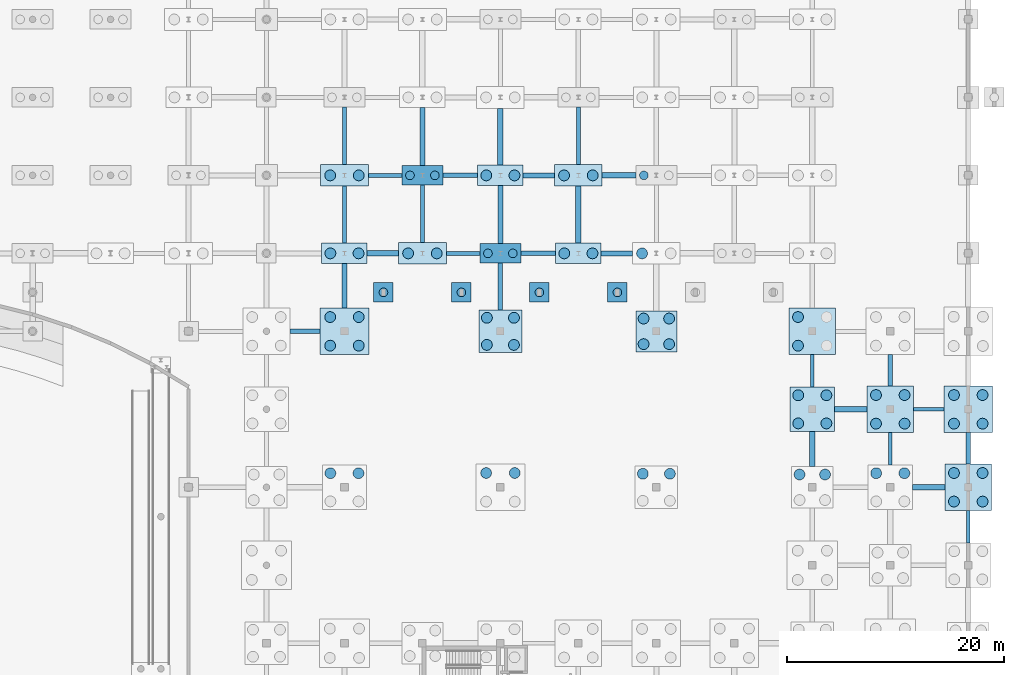
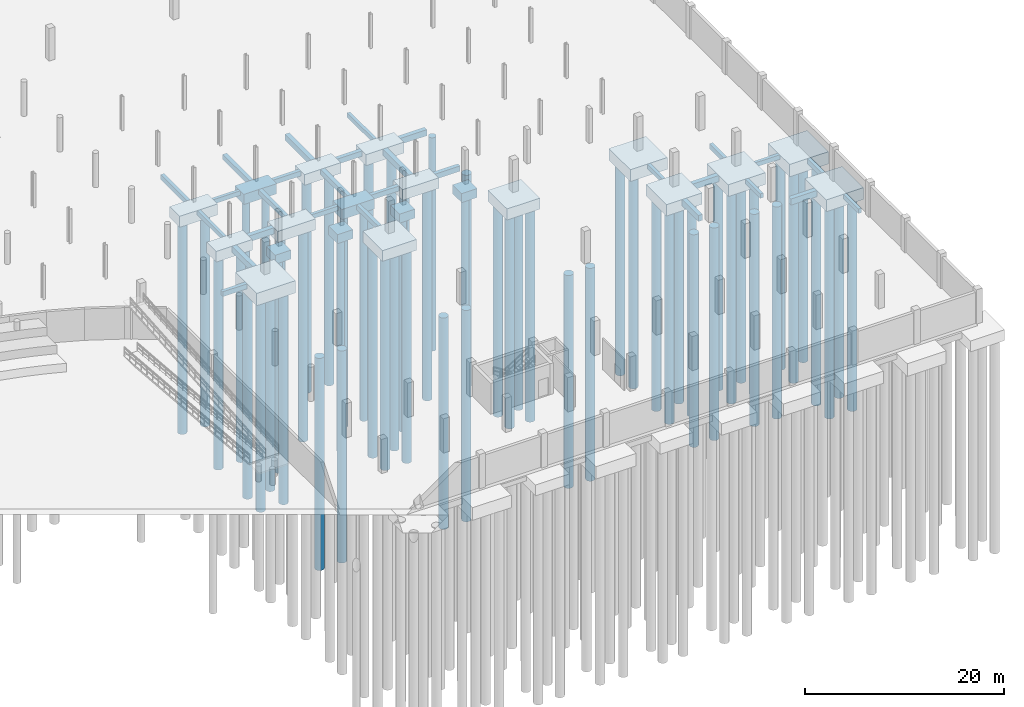
# One storey, part 14 of 56: 62 piles, 48 footings.
"""IFC4 building model written with IfcOpenShell, lengths in metres."""

from ifc_helpers import new_model, si_unit, direction, frame, origin, origin_2d, place, context, subcontext, project, spatial, rectangle, circle, extrude, material, material_profile, profile_set, type_object, element, save


model = new_model("IFC4")

# Units and contexts
model_context = context("Model", 3, precision=1e-05, world=origin(), true_north=direction((0.0, 1.0)))
body_context = subcontext(model_context, "Body", "Model", "MODEL_VIEW")
ifc_project = project(units=[si_unit("LENGTHUNIT", "METRE"), si_unit("AREAUNIT", "SQUARE_METRE"), si_unit("VOLUMEUNIT", "CUBIC_METRE"), si_unit("PLANEANGLEUNIT", "RADIAN"), si_unit("MASSUNIT", "GRAM", prefix="KILO")], contexts=[model_context])

# Site, building, storey
site_placement = place(None, origin())
site = spatial("IfcSite", under=ifc_project, at=site_placement, CompositionType="ELEMENT")
building_placement = place(site_placement, origin())
building = spatial("IfcBuilding", under=site, at=building_placement, Name="Suanplinth Sawtooth Commons", CompositionType="ELEMENT")
storey_placement = place(building_placement, frame((0.0, 0.0, -4.199951171875)))
storey = spatial("IfcBuildingStorey", under=building, at=storey_placement, Name="B1", CompositionType="ELEMENT", Elevation=-4.199951171875)

# Footings
ifc_material_1 = material(Name="Concrete C35/45", Category="concrete")
ifc_material_profile_1 = material_profile(ifc_material_1, rectangle(XDim=0.449951171875, YDim=0.64990234375, at=origin_2d()), Name="PC-GDR 450x650")
ifc_profile_set_1 = profile_set([ifc_material_profile_1], Name="Concrete C35/45")
footing_type_1 = type_object("IfcFootingType", Name="FB-01", PredefinedType="FOOTING_BEAM", material=ifc_profile_set_1)
footing_1_placement = place(storey_placement, frame((136.800048828125, 58.5, -0.824951171875), z_axis=(0.0, 1.0, 0.0), x_axis=(-1.0, 0.0, 0.0)))
element("IfcFooting", 1, at=footing_1_placement, inside=storey, type_object=footing_type_1, Name="Foundation Tie Beam 20/J-K", PredefinedType="FOOTING_BEAM", context=body_context, shape_type="SweptSolid", body=[
    extrude(rectangle(XDim=0.449951171875, YDim=0.64990234375, at=origin_2d()), origin(), (0.0, 0.0, 1.0), 5.35009765625),
])
footing_2_placement = place(storey_placement, frame((144.0, 51.300048828125, -0.824951171875), z_axis=(0.0, 1.0, 0.0), x_axis=(-1.0, 0.0, 0.0)))
element("IfcFooting", 2, at=footing_2_placement, inside=storey, type_object=footing_type_1, Name="Foundation Tie Beam 21/H-J", PredefinedType="FOOTING_BEAM", context=body_context, shape_type="SweptSolid", body=[
    extrude(rectangle(XDim=0.449951171875, YDim=0.64990234375, at=origin_2d()), origin(), (0.0, 0.0, 1.0), 5.349853515625),
])
for number, where, z_axis, x_axis, name in (
    (3, (146.10009765625, 57.60009765625, -0.824951171875), (1.0, 0.0, 0.0), (0.0, 1.0, 0.0), "Foundation Tie Beam 21-22/J"),
    (4, (153.300048828125, 50.39990234375, -0.824951171875), (1.0, 0.0, 0.0), (0.0, 1.0, 0.0), "Foundation Tie Beam 22-23/H"),
):
    element("IfcFooting", number, at=place(storey_placement, frame(where, z_axis=z_axis, x_axis=x_axis)), inside=storey, type_object=footing_type_1, Name=name, PredefinedType="FOOTING_BEAM", context=body_context, shape_type="SweptSolid", body=[
        extrude(rectangle(XDim=0.449951171875, YDim=0.64990234375, at=origin_2d()), origin(), (0.0, 0.0, 1.0), 2.89990234375),
    ])
ifc_material_profile_2 = material_profile(ifc_material_1, rectangle(XDim=0.5, YDim=0.75, at=origin_2d()), Name="RC-GDR 500x750")
ifc_profile_set_2 = profile_set([ifc_material_profile_2], Name="Concrete C35/45")
footing_type_2 = type_object("IfcFootingType", Name="FB-02", PredefinedType="FOOTING_BEAM", material=ifc_profile_set_2)
footing_3_placement = place(storey_placement, frame((129.60009765625, 45.35009765625, -0.875), z_axis=(0.0, 1.0, 0.0), x_axis=(-1.0, 0.0, 0.0)))
element("IfcFooting", 5, at=footing_3_placement, inside=storey, type_object=footing_type_2, Name="Foundation Tie Beam 19/G-H", PredefinedType="FOOTING_BEAM", context=body_context, shape_type="SweptSolid", body=[
    extrude(rectangle(XDim=0.5, YDim=0.75, at=origin_2d()), origin(), (0.0, 0.0, 1.0), 4.099853515625),
])
footing_4_placement = place(storey_placement, frame((131.699951171875, 50.39990234375, -0.875), z_axis=(1.0, 0.0, 0.0), x_axis=(0.0, 1.0, 0.0)))
element("IfcFooting", 6, at=footing_4_placement, inside=storey, type_object=footing_type_2, Name="Foundation Tie Beam 19-20/H", PredefinedType="FOOTING_BEAM", context=body_context, shape_type="SweptSolid", body=[
    extrude(rectangle(XDim=0.5, YDim=0.75, at=origin_2d()), origin(), (0.0, 0.0, 1.0), 2.900146484375),
])
for number, where, z_axis, x_axis, name in (
    (7, (144.0, 58.550048828125, -0.875), (0.0, 1.0, 0.0), (-1.0, 0.0, 0.0), "Foundation Tie Beam 21/J-K"),
    (8, (151.199951171875, 51.35009765625, -0.875), (0.0, 1.0, 0.0), (-1.0, 0.0, 0.0), "Foundation Tie Beam 22/H-J"),
):
    element("IfcFooting", number, at=place(storey_placement, frame(where, z_axis=z_axis, x_axis=x_axis)), inside=storey, type_object=footing_type_2, Name=name, PredefinedType="FOOTING_BEAM", context=body_context, shape_type="SweptSolid", body=[
        extrude(rectangle(XDim=0.5, YDim=0.75, at=origin_2d()), origin(), (0.0, 0.0, 1.0), 5.25),
    ])
footing_5_placement = place(storey_placement, frame((153.39990234375, 57.60009765625, -0.875), z_axis=(1.0, 0.0, 0.0), x_axis=(0.0, 1.0, 0.0)))
element("IfcFooting", 9, at=footing_5_placement, inside=storey, type_object=footing_type_2, Name="Foundation Tie Beam 22-23/J", PredefinedType="FOOTING_BEAM", context=body_context, shape_type="SweptSolid", body=[
    extrude(rectangle(XDim=0.5, YDim=0.75, at=origin_2d()), origin(), (0.0, 0.0, 1.0), 3.10009765625),
])
footing_6_placement = place(storey_placement, frame((172.800048828125, 30.699951171875, -0.875), z_axis=(0.0, 1.0, 0.0), x_axis=(-1.0, 0.0, 0.0)))
element("IfcFooting", 10, at=footing_6_placement, inside=storey, type_object=footing_type_2, Name="Foundation Tie Beam 25/E-F", PredefinedType="FOOTING_BEAM", context=body_context, shape_type="SweptSolid", body=[
    extrude(rectangle(XDim=0.5, YDim=0.75, at=origin_2d()), origin(), (0.0, 0.0, 1.0), 3.25),
])
for number, where, z_axis, x_axis, name in (
    (11, (174.85009765625, 36.0, -0.875), (1.0, 0.0, 0.0), (0.0, 1.0, 0.0), "Foundation Tie Beam 25-26/F"),
    (12, (182.050048828125, 28.800048828125, -0.875), (1.0, 0.0, 0.0), (0.0, 1.0, 0.0), "Foundation Tie Beam 26-27/E"),
):
    element("IfcFooting", number, at=place(storey_placement, frame(where, z_axis=z_axis, x_axis=x_axis)), inside=storey, type_object=footing_type_2, Name=name, PredefinedType="FOOTING_BEAM", context=body_context, shape_type="SweptSolid", body=[
        extrude(rectangle(XDim=0.5, YDim=0.75, at=origin_2d()), origin(), (0.0, 0.0, 1.0), 3.0),
    ])
ifc_material_profile_3 = material_profile(ifc_material_1, rectangle(XDim=0.35009765625, YDim=0.550048828125, at=origin_2d()), Name="PC-BM 350x550")
ifc_profile_set_3 = profile_set([ifc_material_profile_3], Name="Concrete C35/45")
footing_type_3 = type_object("IfcFootingType", Name="FB-03", PredefinedType="FOOTING_BEAM", material=ifc_profile_set_3)
footing_7_placement = place(storey_placement, frame((129.60009765625, 51.35009765625, -0.775146484375), z_axis=(0.0, 1.0, 0.0), x_axis=(-1.0, 0.0, 0.0)))
element("IfcFooting", 13, at=footing_7_placement, inside=storey, type_object=footing_type_3, Name="Foundation Tie Beam 19/H-J", PredefinedType="FOOTING_BEAM", context=body_context, shape_type="SweptSolid", body=[
    extrude(rectangle(XDim=0.35009765625, YDim=0.550048828125, at=origin_2d()), origin(), (0.0, 0.0, 1.0), 5.25),
])
footing_8_placement = place(storey_placement, frame((131.800048828125, 57.60009765625, -0.775146484375), z_axis=(1.0, 0.0, 0.0), x_axis=(0.0, 1.0, 0.0)))
element("IfcFooting", 14, at=footing_8_placement, inside=storey, type_object=footing_type_3, Name="Foundation Tie Beam 19-20/J", PredefinedType="FOOTING_BEAM", context=body_context, shape_type="SweptSolid", body=[
    extrude(rectangle(XDim=0.35009765625, YDim=0.550048828125, at=origin_2d()), origin(), (0.0, 0.0, 1.0), 3.099853515625),
])
footing_9_placement = place(storey_placement, frame((139.0, 50.39990234375, -0.775146484375), z_axis=(1.0, 0.0, 0.0), x_axis=(0.0, 1.0, 0.0)))
element("IfcFooting", 15, at=footing_9_placement, inside=storey, type_object=footing_type_3, Name="Foundation Tie Beam 20-21/H", PredefinedType="FOOTING_BEAM", context=body_context, shape_type="SweptSolid", body=[
    extrude(rectangle(XDim=0.35009765625, YDim=0.550048828125, at=origin_2d()), origin(), (0.0, 0.0, 1.0), 3.10009765625),
])
footing_10_placement = place(storey_placement, frame((151.199951171875, 58.60009765625, -0.775146484375), z_axis=(0.0, 1.0, 0.0), x_axis=(-1.0, 0.0, 0.0)))
element("IfcFooting", 16, at=footing_10_placement, inside=storey, type_object=footing_type_3, Name="Foundation Tie Beam 22/J-K", PredefinedType="FOOTING_BEAM", context=body_context, shape_type="SweptSolid", body=[
    extrude(rectangle(XDim=0.35009765625, YDim=0.550048828125, at=origin_2d()), origin(), (0.0, 0.0, 1.0), 5.2998046875),
])
for number, where, z_axis, x_axis, name in (
    (17, (172.800048828125, 38.050048828125, -0.775146484375), (0.0, 1.0, 0.0), (-1.0, 0.0, 0.0), "Foundation Tie Beam 25/F-G"),
    (18, (180.0, 30.85009765625, -0.775146484375), (0.0, 1.0, 0.0), (-1.0, 0.0, 0.0), "Foundation Tie Beam 26/E-F"),
):
    element("IfcFooting", number, at=place(storey_placement, frame(where, z_axis=z_axis, x_axis=x_axis)), inside=storey, type_object=footing_type_3, Name=name, PredefinedType="FOOTING_BEAM", context=body_context, shape_type="SweptSolid", body=[
        extrude(rectangle(XDim=0.35009765625, YDim=0.550048828125, at=origin_2d()), origin(), (0.0, 0.0, 1.0), 3.0),
    ])
footing_11_placement = place(storey_placement, frame((182.14990234375, 36.0, -0.775146484375), z_axis=(1.0, 0.0, 0.0), x_axis=(0.0, 1.0, 0.0)))
element("IfcFooting", 19, at=footing_11_placement, inside=storey, type_object=footing_type_3, Name="Foundation Tie Beam 26-27/F", PredefinedType="FOOTING_BEAM", context=body_context, shape_type="SweptSolid", body=[
    extrude(rectangle(XDim=0.35009765625, YDim=0.550048828125, at=origin_2d()), origin(), (0.0, 0.0, 1.0), 2.800048828125),
])
footing_12_placement = place(storey_placement, frame((187.199951171875, 23.64990234375, -0.775146484375), z_axis=(0.0, 1.0, 0.0), x_axis=(-1.0, 0.0, 0.0)))
element("IfcFooting", 20, at=footing_12_placement, inside=storey, type_object=footing_type_3, Name="Foundation Tie Beam 27/D-E", PredefinedType="FOOTING_BEAM", context=body_context, shape_type="SweptSolid", body=[
    extrude(rectangle(XDim=0.35009765625, YDim=0.550048828125, at=origin_2d()), origin(), (0.0, 0.0, 1.0), 3.0),
])
ifc_material_profile_4 = material_profile(ifc_material_1, rectangle(XDim=0.39990234375, YDim=0.60009765625, at=origin_2d()), Name="PC-GDR 400x600")
ifc_profile_set_4 = profile_set([ifc_material_profile_4], Name="Concrete C35/45")
footing_type_4 = type_object("IfcFootingType", Name="FB-04", PredefinedType="FOOTING_BEAM", material=ifc_profile_set_4)
footing_13_placement = place(storey_placement, frame((124.550048828125, 43.199951171875, -0.800048828125), z_axis=(1.0, 0.0, 0.0), x_axis=(0.0, 1.0, 0.0)))
element("IfcFooting", 21, at=footing_13_placement, inside=storey, type_object=footing_type_4, Name="Foundation Tie Beam 18-19/G", PredefinedType="FOOTING_BEAM", context=body_context, shape_type="SweptSolid", body=[
    extrude(rectangle(XDim=0.39990234375, YDim=0.60009765625, at=origin_2d()), origin(), (0.0, 0.0, 1.0), 2.800048828125),
])
footing_14_placement = place(storey_placement, frame((129.60009765625, 58.60009765625, -0.800048828125), z_axis=(0.0, 1.0, 0.0), x_axis=(-1.0, 0.0, 0.0)))
element("IfcFooting", 22, at=footing_14_placement, inside=storey, type_object=footing_type_4, Name="Foundation Tie Beam 19/J-K", PredefinedType="FOOTING_BEAM", context=body_context, shape_type="SweptSolid", body=[
    extrude(rectangle(XDim=0.39990234375, YDim=0.60009765625, at=origin_2d()), origin(), (0.0, 0.0, 1.0), 5.2998046875),
])
footing_15_placement = place(storey_placement, frame((136.800048828125, 51.39990234375, -0.800048828125), z_axis=(0.0, 1.0, 0.0), x_axis=(-1.0, 0.0, 0.0)))
element("IfcFooting", 23, at=footing_15_placement, inside=storey, type_object=footing_type_4, Name="Foundation Tie Beam 20/H-J", PredefinedType="FOOTING_BEAM", context=body_context, shape_type="SweptSolid", body=[
    extrude(rectangle(XDim=0.39990234375, YDim=0.60009765625, at=origin_2d()), origin(), (0.0, 0.0, 1.0), 5.300048828125),
])
footing_16_placement = place(storey_placement, frame((138.699951171875, 57.60009765625, -0.800048828125), z_axis=(1.0, 0.0, 0.0), x_axis=(0.0, 1.0, 0.0)))
element("IfcFooting", 24, at=footing_16_placement, inside=storey, type_object=footing_type_4, Name="Foundation Tie Beam 20-21/J", PredefinedType="FOOTING_BEAM", context=body_context, shape_type="SweptSolid", body=[
    extrude(rectangle(XDim=0.39990234375, YDim=0.60009765625, at=origin_2d()), origin(), (0.0, 0.0, 1.0), 3.199951171875),
])
footing_17_placement = place(storey_placement, frame((144.0, 45.175048828125, -0.800048828125), z_axis=(0.0, 1.0, 0.0), x_axis=(-1.0, 0.0, 0.0)))
element("IfcFooting", 25, at=footing_17_placement, inside=storey, type_object=footing_type_4, Name="Foundation Tie Beam 21/G-H", PredefinedType="FOOTING_BEAM", context=body_context, shape_type="SweptSolid", body=[
    extrude(rectangle(XDim=0.39990234375, YDim=0.60009765625, at=origin_2d()), origin(), (0.0, 0.0, 1.0), 4.324951171875),
])
footing_18_placement = place(storey_placement, frame((145.89990234375, 50.39990234375, -0.800048828125), z_axis=(1.0, 0.0, 0.0), x_axis=(0.0, 1.0, 0.0)))
element("IfcFooting", 26, at=footing_18_placement, inside=storey, type_object=footing_type_4, Name="Foundation Tie Beam 21-22/H", PredefinedType="FOOTING_BEAM", context=body_context, shape_type="SweptSolid", body=[
    extrude(rectangle(XDim=0.39990234375, YDim=0.60009765625, at=origin_2d()), origin(), (0.0, 0.0, 1.0), 3.2001953125),
])
for number, where, z_axis, x_axis, name in (
    (27, (180.0, 38.14990234375, -0.800048828125), (0.0, 1.0, 0.0), (-1.0, 0.0, 0.0), "Foundation Tie Beam 26/F-G"),
    (28, (187.199951171875, 30.949951171875, -0.800048828125), (0.0, 1.0, 0.0), (-1.0, 0.0, 0.0), "Foundation Tie Beam 27/E-F"),
):
    element("IfcFooting", number, at=place(storey_placement, frame(where, z_axis=z_axis, x_axis=x_axis)), inside=storey, type_object=footing_type_4, Name=name, PredefinedType="FOOTING_BEAM", context=body_context, shape_type="SweptSolid", body=[
        extrude(rectangle(XDim=0.39990234375, YDim=0.60009765625, at=origin_2d()), origin(), (0.0, 0.0, 1.0), 2.900146484375),
    ])
footing_type_5 = type_object("IfcFootingType", Name="FC-01", PredefinedType="PILE_CAP", material=ifc_material_1)
for number, where, z_axis, x_axis, name in (
    (29, (133.199951171875, 46.800048828125, -1.60009765625), (0.0, 0.0, 1.0), (1.0, 0.0, 0.0), "Veranda Pilaster Cap P7"),
    (30, (140.39990234375, 46.800048828125, -1.60009765625), (0.0, 0.0, 1.0), (1.0, 0.0, 0.0), "Veranda Pilaster Cap P8"),
    (31, (147.60009765625, 46.800048828125, -1.60009765625), (0.0, 0.0, 1.0), (1.0, 0.0, 0.0), "Veranda Pilaster Cap P9"),
    (32, (154.800048828125, 46.800048828125, -1.60009765625), (0.0, 0.0, 1.0), (1.0, 0.0, 0.0), "Veranda Pilaster Cap P10"),
):
    element("IfcFooting", number, at=place(storey_placement, frame(where, z_axis=z_axis, x_axis=x_axis)), inside=storey, type_object=footing_type_5, Name=name, PredefinedType="PILE_CAP", context=body_context, shape_type="SweptSolid", body=[
        extrude(rectangle(XDim=1.800048828125, YDim=1.800048828125, at=origin_2d()), origin(), (0.0, 0.0, 1.0), 1.10009765625),
    ])
footing_type_6 = type_object("IfcFootingType", Name="FC-03", PredefinedType="PILE_CAP", material=ifc_material_1)
for number, where, z_axis, x_axis, name in (
    (33, (136.800048828125, 57.60009765625, -1.75), (0.0, 0.0, 1.0), (1.0, 0.0, 0.0), "Pile Cap 20/J"),
    (34, (144.0, 50.39990234375, -1.75), (0.0, 0.0, 1.0), (1.0, 0.0, 0.0), "Pile Cap 21/H"),
):
    element("IfcFooting", number, at=place(storey_placement, frame(where, z_axis=z_axis, x_axis=x_axis)), inside=storey, type_object=footing_type_6, Name=name, PredefinedType="PILE_CAP", context=body_context, shape_type="SweptSolid", body=[
        extrude(rectangle(XDim=3.800048828125, YDim=1.800048828125, at=origin_2d()), origin(), (0.0, 0.0, 1.0), 1.25),
    ])
footing_type_7 = type_object("IfcFootingType", Name="FC-04", PredefinedType="PILE_CAP", material=ifc_material_1)
for number, where, z_axis, x_axis, name in (
    (35, (129.60009765625, 50.39990234375, -1.80029296875), (0.0, 0.0, 1.0), (1.0, 0.0, 0.0), "Pile Cap 19/H"),
    (36, (144.0, 57.60009765625, -1.80029296875), (0.0, 0.0, 1.0), (1.0, 0.0, 0.0), "Pile Cap 21/J"),
    (37, (151.199951171875, 50.39990234375, -1.80029296875), (0.0, 0.0, 1.0), (1.0, 0.0, 0.0), "Pile Cap 22/H"),
):
    element("IfcFooting", number, at=place(storey_placement, frame(where, z_axis=z_axis, x_axis=x_axis)), inside=storey, type_object=footing_type_7, Name=name, PredefinedType="PILE_CAP", context=body_context, shape_type="SweptSolid", body=[
        extrude(rectangle(XDim=4.199951171875, YDim=1.89990234375, at=origin_2d()), origin(), (0.0, 0.0, 1.0), 1.300048828125),
    ])
footing_type_8 = type_object("IfcFootingType", Name="FC-05", PredefinedType="PILE_CAP", material=ifc_material_1)
for number, where, z_axis, x_axis, name in (
    (38, (129.60009765625, 57.60009765625, -1.85009765625), (0.0, 0.0, 1.0), (1.0, 0.0, 0.0), "Pile Cap 19/J"),
    (39, (136.800048828125, 50.39990234375, -1.85009765625), (0.0, 0.0, 1.0), (1.0, 0.0, 0.0), "Pile Cap 20/H"),
    (40, (151.199951171875, 57.60009765625, -1.85009765625), (0.0, 0.0, 1.0), (1.0, 0.0, 0.0), "Pile Cap 22/J"),
):
    element("IfcFooting", number, at=place(storey_placement, frame(where, z_axis=z_axis, x_axis=x_axis)), inside=storey, type_object=footing_type_8, Name=name, PredefinedType="PILE_CAP", context=body_context, shape_type="SweptSolid", body=[
        extrude(rectangle(XDim=4.39990234375, YDim=2.0, at=origin_2d()), origin(), (0.0, 0.0, 1.0), 1.35009765625),
    ])
footing_type_9 = type_object("IfcFootingType", Name="FC-06", PredefinedType="PILE_CAP", material=ifc_material_1)
footing_19_placement = place(storey_placement, frame((158.39990234375, 43.199951171875, -1.85009765625), z_axis=(0.0, 0.0, 1.0), x_axis=(1.0, 0.0, 0.0)))
element("IfcFooting", 41, at=footing_19_placement, inside=storey, type_object=footing_type_9, Name="Pile Cap 23/G", PredefinedType="PILE_CAP", context=body_context, shape_type="SweptSolid", body=[
    extrude(rectangle(XDim=3.800048828125, YDim=3.800048828125, at=origin_2d()), origin(), (0.0, 0.0, 1.0), 1.35009765625),
])
footing_type_10 = type_object("IfcFootingType", Name="FC-07", PredefinedType="PILE_CAP", material=ifc_material_1)
footing_20_placement = place(storey_placement, frame((172.800048828125, 36.0, -1.89990234375), z_axis=(0.0, 0.0, 1.0), x_axis=(1.0, 0.0, 0.0)))
element("IfcFooting", 42, at=footing_20_placement, inside=storey, type_object=footing_type_10, Name="Pile Cap 25/F", PredefinedType="PILE_CAP", context=body_context, shape_type="SweptSolid", body=[
    extrude(rectangle(XDim=4.10009765625, YDim=4.10009765625, at=origin_2d()), origin(), (0.0, 0.0, 1.0), 1.39990234375),
])
footing_type_11 = type_object("IfcFootingType", Name="FC-08", PredefinedType="PILE_CAP", material=ifc_material_1)
for number, where, z_axis, x_axis, name in (
    (43, (172.800048828125, 43.199951171875, -1.9501953125), (0.0, 0.0, 1.0), (1.0, 0.0, 0.0), "Pile Cap 25/G"),
    (44, (180.0, 36.0, -1.9501953125), (0.0, 0.0, 1.0), (1.0, 0.0, 0.0), "Pile Cap 26/F"),
    (45, (187.199951171875, 28.800048828125, -1.9501953125), (0.0, 0.0, 1.0), (1.0, 0.0, 0.0), "Pile Cap 27/E"),
):
    element("IfcFooting", number, at=place(storey_placement, frame(where, z_axis=z_axis, x_axis=x_axis)), inside=storey, type_object=footing_type_11, Name=name, PredefinedType="PILE_CAP", context=body_context, shape_type="SweptSolid", body=[
        extrude(rectangle(XDim=4.300048828125, YDim=4.300048828125, at=origin_2d()), origin(), (0.0, 0.0, 1.0), 1.449951171875),
    ])
footing_type_12 = type_object("IfcFootingType", Name="FC-09", PredefinedType="PILE_CAP", material=ifc_material_1)
for number, where, z_axis, x_axis, name in (
    (46, (129.60009765625, 43.199951171875, -2.0), (0.0, 0.0, 1.0), (1.0, 0.0, 0.0), "Pile Cap 19/G"),
    (47, (187.199951171875, 36.0, -2.0), (0.0, 0.0, 1.0), (1.0, 0.0, 0.0), "Pile Cap 27/F"),
):
    element("IfcFooting", number, at=place(storey_placement, frame(where, z_axis=z_axis, x_axis=x_axis)), inside=storey, type_object=footing_type_12, Name=name, PredefinedType="PILE_CAP", context=body_context, shape_type="SweptSolid", body=[
        extrude(rectangle(XDim=4.5, YDim=4.300048828125, at=origin_2d()), origin(), (0.0, 0.0, 1.0), 1.5),
    ])
footing_type_13 = type_object("IfcFootingType", Name="FC-15", PredefinedType="PILE_CAP", material=ifc_material_1)
footing_21_placement = place(storey_placement, frame((144.0, 43.199951171875, -1.8203125), z_axis=(0.0, 0.0, 1.0), x_axis=(1.0, 0.0, 0.0)))
element("IfcFooting", 48, at=footing_21_placement, inside=storey, type_object=footing_type_13, Name="Pile Cap 21/G", PredefinedType="PILE_CAP", context=body_context, shape_type="SweptSolid", body=[
    extrude(rectangle(XDim=3.949951171875, YDim=3.949951171875, at=origin_2d()), origin(), (0.0, 0.0, 1.0), 1.320068359375),
])

# Piles
ifc_material_2 = material(Name="Concrete C32/40", Category="concrete")
ifc_material_profile_5 = material_profile(ifc_material_2, circle(Radius=0.39990234375, at=origin_2d()), Name="PILE D800")
ifc_profile_set_5 = profile_set([ifc_material_profile_5], Name="Concrete C32/40")
pile_type_1 = type_object("IfcPileType", Name="P-01", PredefinedType="BORED", material=ifc_profile_set_5)
for number, where, z_axis, x_axis, name in (
    (49, (135.64990234375, 57.60009765625, -1.650146484375), (0.0, 0.0, -1.0), (1.0, 0.0, 0.0), "Bored Pile 20/J-1"),
    (50, (137.949951171875, 57.60009765625, -1.650146484375), (0.0, 0.0, -1.0), (1.0, 0.0, 0.0), "Bored Pile 20/J-2"),
    (51, (142.85009765625, 50.39990234375, -1.650146484375), (0.0, 0.0, -1.0), (1.0, 0.0, 0.0), "Bored Pile 21/H-1"),
    (52, (145.14990234375, 50.39990234375, -1.650146484375), (0.0, 0.0, -1.0), (1.0, 0.0, 0.0), "Bored Pile 21/H-2"),
    (53, (157.25, 57.60009765625, -1.650146484375), (0.0, 0.0, -1.0), (1.0, 0.0, 0.0), "Bored Pile 23/J-1"),
):
    element("IfcPile", number, at=place(storey_placement, frame(where, z_axis=z_axis, x_axis=x_axis)), inside=storey, type_object=pile_type_1, Name=name, PredefinedType="BORED", context=body_context, shape_type="SweptSolid", body=[
        extrude(circle(Radius=0.39990234375, at=origin_2d()), origin(), (0.0, 0.0, 1.0), 26.14990234375),
    ])
for number, where, z_axis, x_axis, name in (
    (54, (133.199951171875, 46.800048828125, -1.5), (0.0, 0.0, -1.0), (1.0, 0.0, 0.0), "Veranda Pilaster Pile P7"),
    (55, (140.39990234375, 46.800048828125, -1.5), (0.0, 0.0, -1.0), (1.0, 0.0, 0.0), "Veranda Pilaster Pile P8"),
    (56, (147.60009765625, 46.800048828125, -1.5), (0.0, 0.0, -1.0), (1.0, 0.0, 0.0), "Veranda Pilaster Pile P9"),
    (57, (154.800048828125, 46.800048828125, -1.5), (0.0, 0.0, -1.0), (1.0, 0.0, 0.0), "Veranda Pilaster Pile P10"),
):
    element("IfcPile", number, at=place(storey_placement, frame(where, z_axis=z_axis, x_axis=x_axis)), inside=storey, type_object=pile_type_1, Name=name, PredefinedType="BORED", context=body_context, shape_type="SweptSolid", body=[
        extrude(circle(Radius=0.39990234375, at=origin_2d()), origin(), (0.0, 0.0, 1.0), 26.300048828125),
    ])
ifc_material_profile_6 = material_profile(ifc_material_2, circle(Radius=0.5, at=origin_2d()), Name="PILE D1000")
ifc_profile_set_6 = profile_set([ifc_material_profile_6], Name="Concrete C32/40")
pile_type_2 = type_object("IfcPileType", Name="P-02", PredefinedType="BORED", material=ifc_profile_set_6)
for number, where, z_axis, x_axis, name in (
    (58, (128.300048828125, 30.10009765625, -1.800048828125), (0.0, 0.0, -1.0), (1.0, 0.0, 0.0), "Bored Pile 19/E-3"),
    (59, (130.89990234375, 30.10009765625, -1.800048828125), (0.0, 0.0, -1.0), (1.0, 0.0, 0.0), "Bored Pile 19/E-4"),
):
    element("IfcPile", number, at=place(storey_placement, frame(where, z_axis=z_axis, x_axis=x_axis)), inside=storey, type_object=pile_type_2, Name=name, PredefinedType="BORED", context=body_context, shape_type="SweptSolid", body=[
        extrude(circle(Radius=0.5, at=origin_2d()), origin(), (0.0, 0.0, 1.0), 26.0),
    ])
for number, where, z_axis, x_axis, name in (
    (60, (128.280029296875, 41.8798828125, -1.900146484375), (0.0, 0.0, -1.0), (1.0, 0.0, 0.0), "Bored Pile 19/G-1"),
    (61, (130.919921875, 41.8798828125, -1.900146484375), (0.0, 0.0, -1.0), (1.0, 0.0, 0.0), "Bored Pile 19/G-2"),
    (62, (128.280029296875, 44.52001953125, -1.900146484375), (0.0, 0.0, -1.0), (1.0, 0.0, 0.0), "Bored Pile 19/G-3"),
    (63, (130.919921875, 44.52001953125, -1.900146484375), (0.0, 0.0, -1.0), (1.0, 0.0, 0.0), "Bored Pile 19/G-4"),
):
    element("IfcPile", number, at=place(storey_placement, frame(where, z_axis=z_axis, x_axis=x_axis)), inside=storey, type_object=pile_type_2, Name=name, PredefinedType="BORED", context=body_context, shape_type="SweptSolid", body=[
        extrude(circle(Radius=0.5, at=origin_2d()), origin(), (0.0, 0.0, 1.0), 25.89990234375),
    ])
for number, where, z_axis, x_axis, name in (
    (64, (128.300048828125, 50.39990234375, -1.699951171875), (0.0, 0.0, -1.0), (1.0, 0.0, 0.0), "Bored Pile 19/H-1"),
    (65, (130.89990234375, 50.39990234375, -1.699951171875), (0.0, 0.0, -1.0), (1.0, 0.0, 0.0), "Bored Pile 19/H-2"),
):
    element("IfcPile", number, at=place(storey_placement, frame(where, z_axis=z_axis, x_axis=x_axis)), inside=storey, type_object=pile_type_2, Name=name, PredefinedType="BORED", context=body_context, shape_type="SweptSolid", body=[
        extrude(circle(Radius=0.5, at=origin_2d()), origin(), (0.0, 0.0, 1.0), 26.10009765625),
    ])
for number, where, z_axis, x_axis, name in (
    (66, (128.280029296875, 57.60009765625, -1.75), (0.0, 0.0, -1.0), (1.0, 0.0, 0.0), "Bored Pile 19/J-1"),
    (67, (130.919921875, 57.60009765625, -1.75), (0.0, 0.0, -1.0), (1.0, 0.0, 0.0), "Bored Pile 19/J-2"),
    (68, (135.47998046875, 50.39990234375, -1.75), (0.0, 0.0, -1.0), (1.0, 0.0, 0.0), "Bored Pile 20/H-1"),
    (69, (138.1201171875, 50.39990234375, -1.75), (0.0, 0.0, -1.0), (1.0, 0.0, 0.0), "Bored Pile 20/H-2"),
):
    element("IfcPile", number, at=place(storey_placement, frame(where, z_axis=z_axis, x_axis=x_axis)), inside=storey, type_object=pile_type_2, Name=name, PredefinedType="BORED", context=body_context, shape_type="SweptSolid", body=[
        extrude(circle(Radius=0.5, at=origin_2d()), origin(), (0.0, 0.0, 1.0), 26.050048828125),
    ])
for number, where, z_axis, x_axis, name in (
    (70, (142.679931640625, 30.1201171875, -1.900146484375), (0.0, 0.0, -1.0), (1.0, 0.0, 0.0), "Bored Pile 21/E-3"),
    (71, (145.320068359375, 30.1201171875, -1.900146484375), (0.0, 0.0, -1.0), (1.0, 0.0, 0.0), "Bored Pile 21/E-4"),
):
    element("IfcPile", number, at=place(storey_placement, frame(where, z_axis=z_axis, x_axis=x_axis)), inside=storey, type_object=pile_type_2, Name=name, PredefinedType="BORED", context=body_context, shape_type="SweptSolid", body=[
        extrude(circle(Radius=0.5, at=origin_2d()), origin(), (0.0, 0.0, 1.0), 25.89990234375),
    ])
for number, where, z_axis, x_axis, name in (
    (72, (142.75, 41.949951171875, -1.719970703125), (0.0, 0.0, -1.0), (1.0, 0.0, 0.0), "Bored Pile 21/G-1"),
    (73, (145.25, 41.949951171875, -1.719970703125), (0.0, 0.0, -1.0), (1.0, 0.0, 0.0), "Bored Pile 21/G-2"),
    (74, (142.75, 44.449951171875, -1.719970703125), (0.0, 0.0, -1.0), (1.0, 0.0, 0.0), "Bored Pile 21/G-3"),
    (75, (145.25, 44.449951171875, -1.719970703125), (0.0, 0.0, -1.0), (1.0, 0.0, 0.0), "Bored Pile 21/G-4"),
):
    element("IfcPile", number, at=place(storey_placement, frame(where, z_axis=z_axis, x_axis=x_axis)), inside=storey, type_object=pile_type_2, Name=name, PredefinedType="BORED", context=body_context, shape_type="SweptSolid", body=[
        extrude(circle(Radius=0.5, at=origin_2d()), origin(), (0.0, 0.0, 1.0), 26.080078125),
    ])
for number, where, z_axis, x_axis, name in (
    (76, (142.699951171875, 57.60009765625, -1.699951171875), (0.0, 0.0, -1.0), (1.0, 0.0, 0.0), "Bored Pile 21/J-1"),
    (77, (145.300048828125, 57.60009765625, -1.699951171875), (0.0, 0.0, -1.0), (1.0, 0.0, 0.0), "Bored Pile 21/J-2"),
    (78, (149.89990234375, 50.39990234375, -1.699951171875), (0.0, 0.0, -1.0), (1.0, 0.0, 0.0), "Bored Pile 22/H-1"),
    (79, (152.5, 50.39990234375, -1.699951171875), (0.0, 0.0, -1.0), (1.0, 0.0, 0.0), "Bored Pile 22/H-2"),
):
    element("IfcPile", number, at=place(storey_placement, frame(where, z_axis=z_axis, x_axis=x_axis)), inside=storey, type_object=pile_type_2, Name=name, PredefinedType="BORED", context=body_context, shape_type="SweptSolid", body=[
        extrude(circle(Radius=0.5, at=origin_2d()), origin(), (0.0, 0.0, 1.0), 26.10009765625),
    ])
for number, where, z_axis, x_axis, name in (
    (80, (149.8798828125, 57.60009765625, -1.75), (0.0, 0.0, -1.0), (1.0, 0.0, 0.0), "Bored Pile 22/J-1"),
    (81, (152.52001953125, 57.60009765625, -1.75), (0.0, 0.0, -1.0), (1.0, 0.0, 0.0), "Bored Pile 22/J-2"),
):
    element("IfcPile", number, at=place(storey_placement, frame(where, z_axis=z_axis, x_axis=x_axis)), inside=storey, type_object=pile_type_2, Name=name, PredefinedType="BORED", context=body_context, shape_type="SweptSolid", body=[
        extrude(circle(Radius=0.5, at=origin_2d()), origin(), (0.0, 0.0, 1.0), 26.050048828125),
    ])
for number, where, z_axis, x_axis, name in (
    (82, (157.14990234375, 30.050048828125, -1.719970703125), (0.0, 0.0, -1.0), (1.0, 0.0, 0.0), "Bored Pile 23/E-3"),
    (83, (159.64990234375, 30.050048828125, -1.719970703125), (0.0, 0.0, -1.0), (1.0, 0.0, 0.0), "Bored Pile 23/E-4"),
):
    element("IfcPile", number, at=place(storey_placement, frame(where, z_axis=z_axis, x_axis=x_axis)), inside=storey, type_object=pile_type_2, Name=name, PredefinedType="BORED", context=body_context, shape_type="SweptSolid", body=[
        extrude(circle(Radius=0.5, at=origin_2d()), origin(), (0.0, 0.0, 1.0), 26.080078125),
    ])
for number, where, z_axis, x_axis, name in (
    (84, (157.219970703125, 42.02001953125, -1.75), (0.0, 0.0, -1.0), (1.0, 0.0, 0.0), "Bored Pile 23/G-1"),
    (85, (159.580078125, 42.02001953125, -1.75), (0.0, 0.0, -1.0), (1.0, 0.0, 0.0), "Bored Pile 23/G-2"),
    (86, (157.219970703125, 44.3798828125, -1.75), (0.0, 0.0, -1.0), (1.0, 0.0, 0.0), "Bored Pile 23/G-3"),
    (87, (159.580078125, 44.3798828125, -1.75), (0.0, 0.0, -1.0), (1.0, 0.0, 0.0), "Bored Pile 23/G-4"),
    (88, (157.080078125, 50.39990234375, -1.75), (0.0, 0.0, -1.0), (1.0, 0.0, 0.0), "Bored Pile 23/H-1"),
    (89, (171.6201171875, 29.97998046875, -1.75), (0.0, 0.0, -1.0), (1.0, 0.0, 0.0), "Bored Pile 25/E-3"),
    (90, (173.97998046875, 29.97998046875, -1.75), (0.0, 0.0, -1.0), (1.0, 0.0, 0.0), "Bored Pile 25/E-4"),
):
    element("IfcPile", number, at=place(storey_placement, frame(where, z_axis=z_axis, x_axis=x_axis)), inside=storey, type_object=pile_type_2, Name=name, PredefinedType="BORED", context=body_context, shape_type="SweptSolid", body=[
        extrude(circle(Radius=0.5, at=origin_2d()), origin(), (0.0, 0.0, 1.0), 26.050048828125),
    ])
for number, where, z_axis, x_axis, name in (
    (91, (171.5, 34.699951171875, -1.800048828125), (0.0, 0.0, -1.0), (1.0, 0.0, 0.0), "Bored Pile 25/F-1"),
    (92, (174.10009765625, 34.699951171875, -1.800048828125), (0.0, 0.0, -1.0), (1.0, 0.0, 0.0), "Bored Pile 25/F-2"),
    (93, (171.5, 37.300048828125, -1.800048828125), (0.0, 0.0, -1.0), (1.0, 0.0, 0.0), "Bored Pile 25/F-3"),
    (94, (174.10009765625, 37.300048828125, -1.800048828125), (0.0, 0.0, -1.0), (1.0, 0.0, 0.0), "Bored Pile 25/F-4"),
):
    element("IfcPile", number, at=place(storey_placement, frame(where, z_axis=z_axis, x_axis=x_axis)), inside=storey, type_object=pile_type_2, Name=name, PredefinedType="BORED", context=body_context, shape_type="SweptSolid", body=[
        extrude(circle(Radius=0.5, at=origin_2d()), origin(), (0.0, 0.0, 1.0), 26.0),
    ])
for number, where, z_axis, x_axis, name in (
    (95, (171.47998046875, 41.8798828125, -1.85009765625), (0.0, 0.0, -1.0), (1.0, 0.0, 0.0), "Bored Pile 25/G-1"),
    (96, (171.47998046875, 44.52001953125, -1.85009765625), (0.0, 0.0, -1.0), (1.0, 0.0, 0.0), "Bored Pile 25/G-3"),
):
    element("IfcPile", number, at=place(storey_placement, frame(where, z_axis=z_axis, x_axis=x_axis)), inside=storey, type_object=pile_type_2, Name=name, PredefinedType="BORED", context=body_context, shape_type="SweptSolid", body=[
        extrude(circle(Radius=0.5, at=origin_2d()), origin(), (0.0, 0.0, 1.0), 25.949951171875),
    ])
for number, where, z_axis, x_axis, name in (
    (97, (178.699951171875, 30.10009765625, -1.800048828125), (0.0, 0.0, -1.0), (1.0, 0.0, 0.0), "Bored Pile 26/E-3"),
    (98, (181.300048828125, 30.10009765625, -1.800048828125), (0.0, 0.0, -1.0), (1.0, 0.0, 0.0), "Bored Pile 26/E-4"),
):
    element("IfcPile", number, at=place(storey_placement, frame(where, z_axis=z_axis, x_axis=x_axis)), inside=storey, type_object=pile_type_2, Name=name, PredefinedType="BORED", context=body_context, shape_type="SweptSolid", body=[
        extrude(circle(Radius=0.5, at=origin_2d()), origin(), (0.0, 0.0, 1.0), 26.0),
    ])
for number, where, z_axis, x_axis, name in (
    (99, (178.679931640625, 34.679931640625, -1.85009765625), (0.0, 0.0, -1.0), (1.0, 0.0, 0.0), "Bored Pile 26/F-1"),
    (100, (181.320068359375, 34.679931640625, -1.85009765625), (0.0, 0.0, -1.0), (1.0, 0.0, 0.0), "Bored Pile 26/F-2"),
    (101, (178.679931640625, 37.320068359375, -1.85009765625), (0.0, 0.0, -1.0), (1.0, 0.0, 0.0), "Bored Pile 26/F-3"),
    (102, (181.320068359375, 37.320068359375, -1.85009765625), (0.0, 0.0, -1.0), (1.0, 0.0, 0.0), "Bored Pile 26/F-4"),
    (103, (185.8798828125, 27.47998046875, -1.85009765625), (0.0, 0.0, -1.0), (1.0, 0.0, 0.0), "Bored Pile 27/E-1"),
    (104, (188.52001953125, 27.47998046875, -1.85009765625), (0.0, 0.0, -1.0), (1.0, 0.0, 0.0), "Bored Pile 27/E-2"),
    (105, (185.8798828125, 30.1201171875, -1.85009765625), (0.0, 0.0, -1.0), (1.0, 0.0, 0.0), "Bored Pile 27/E-3"),
    (106, (188.52001953125, 30.1201171875, -1.85009765625), (0.0, 0.0, -1.0), (1.0, 0.0, 0.0), "Bored Pile 27/E-4"),
):
    element("IfcPile", number, at=place(storey_placement, frame(where, z_axis=z_axis, x_axis=x_axis)), inside=storey, type_object=pile_type_2, Name=name, PredefinedType="BORED", context=body_context, shape_type="SweptSolid", body=[
        extrude(circle(Radius=0.5, at=origin_2d()), origin(), (0.0, 0.0, 1.0), 25.949951171875),
    ])
for number, where, z_axis, x_axis, name in (
    (107, (185.8798828125, 34.679931640625, -1.900146484375), (0.0, 0.0, -1.0), (1.0, 0.0, 0.0), "Bored Pile 27/F-1"),
    (108, (188.52001953125, 34.679931640625, -1.900146484375), (0.0, 0.0, -1.0), (1.0, 0.0, 0.0), "Bored Pile 27/F-2"),
    (109, (185.8798828125, 37.320068359375, -1.900146484375), (0.0, 0.0, -1.0), (1.0, 0.0, 0.0), "Bored Pile 27/F-3"),
    (110, (188.52001953125, 37.320068359375, -1.900146484375), (0.0, 0.0, -1.0), (1.0, 0.0, 0.0), "Bored Pile 27/F-4"),
):
    element("IfcPile", number, at=place(storey_placement, frame(where, z_axis=z_axis, x_axis=x_axis)), inside=storey, type_object=pile_type_2, Name=name, PredefinedType="BORED", context=body_context, shape_type="SweptSolid", body=[
        extrude(circle(Radius=0.5, at=origin_2d()), origin(), (0.0, 0.0, 1.0), 25.89990234375),
    ])

save(model, "model.ifc")
